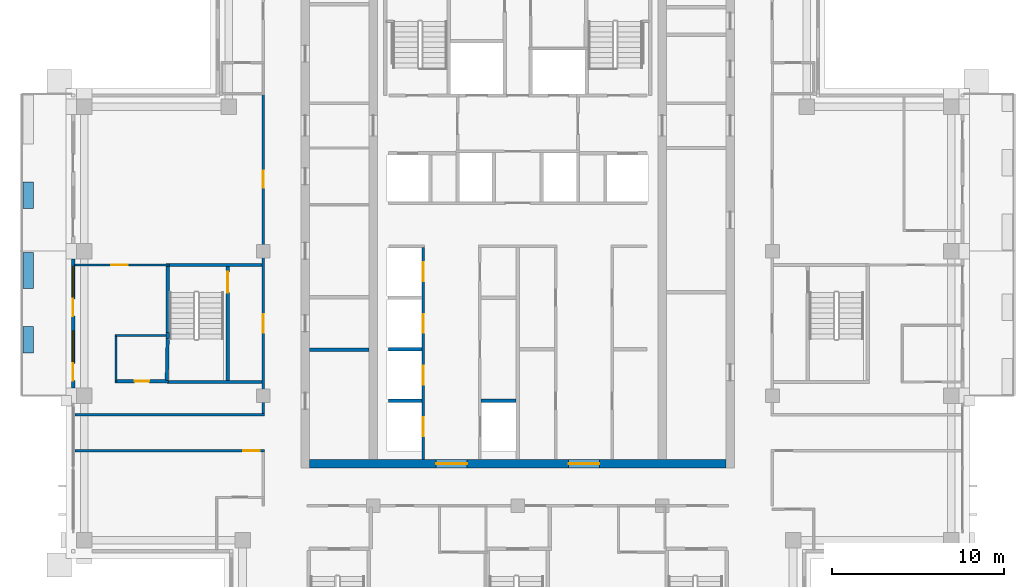
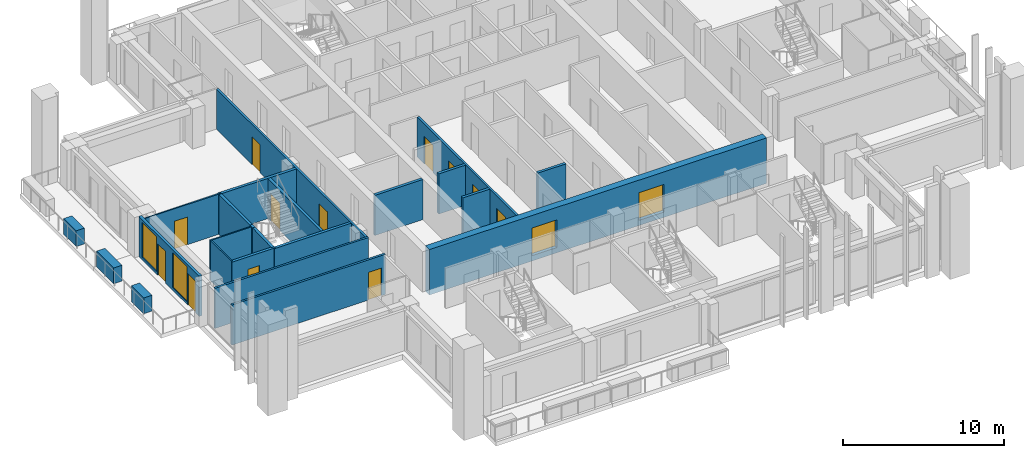
# One storey, part 7 of 16: 23 walls, 14 doors, 2 windows, 16 openings.
"""IFC4 building model written with IfcOpenShell, lengths in metres."""

from ifc_helpers import new_model, si_unit, direction, frame, frame_2d, origin, place, context, subcontext, project, spatial, rectangle, extrude, material, layer, layer_set, type_object, element, fill, save


model = new_model("IFC4")

# Units and contexts
model_context = context("Model", 3, precision=1e-05, world=origin(), true_north=direction((0.0, 1.0)))
body_context = subcontext(model_context, "Body", "Model", "MODEL_VIEW")
ifc_project = project(units=[si_unit("LENGTHUNIT", "METRE"), si_unit("AREAUNIT", "SQUARE_METRE"), si_unit("VOLUMEUNIT", "CUBIC_METRE"), si_unit("PLANEANGLEUNIT", "RADIAN"), si_unit("MASSUNIT", "GRAM", prefix="KILO")], contexts=[model_context])

# Site, building, storey
site_placement = place(None, origin())
site = spatial("IfcSite", under=ifc_project, at=site_placement, CompositionType="ELEMENT")
building_placement = place(site_placement, origin())
building = spatial("IfcBuilding", under=site, at=building_placement, Name="Vermilion Ogive Tower", CompositionType="ELEMENT")
storey_placement = place(building_placement, frame((0.0, 0.0, 247.60009765625)))
storey = spatial("IfcBuildingStorey", under=building, at=storey_placement, Name="L65", CompositionType="ELEMENT", Elevation=247.60009765625)

# Wall, openings, doors
ifc_material_1 = material(Name="Concrete B60", Category="concrete")
ifc_layer_1 = layer(ifc_material_1, 0.5)
ifc_layer_set_1 = layer_set([ifc_layer_1], Name="Core wall 500 B60")
wall_type_1 = type_object("IfcWallType", Name="Core wall 500 B60", PredefinedType="SHEAR", material=ifc_layer_set_1)
wall_1_placement = place(storey_placement, frame((-12.10009765625, -8.14990234375, -0.400146484375), z_axis=(0.0, 0.0, 1.0), x_axis=(1.0, 0.0, 0.0)))
wall_1 = element("IfcWall", 1, at=wall_1_placement, inside=storey, type_object=wall_type_1, Name="L65-CORE-S", PredefinedType="SHEAR", context=body_context, shape_type="SweptSolid", body=[
    extrude(rectangle(XDim=24.2001953125, YDim=0.5, at=frame_2d((12.10009765625, 0.0))), origin(), (0.0, 0.0, 1.0), 3.449951171875),
])
opening_1_placement = place(wall_1_placement, frame((7.35009765625, 0.0, 0.39990234375)))
opening_1 = element("IfcOpeningElement", 2, at=opening_1_placement, cuts=wall_1, Name="Opening DAH053", PredefinedType="OPENING", context=body_context, shape_type="SweptSolid", body=[
    extrude(rectangle(XDim=1.800048828125, YDim=2.10009765625, at=frame_2d((0.89990234375, 1.050048828125))), frame((0.0, 0.260009765625, 0.0), z_axis=(0.0, -1.0, 0.0), x_axis=(1.0, 0.0, 0.0)), (0.0, 0.0, 1.0), 0.52001953125),
])
opening_2_placement = place(wall_1_placement, frame((15.050048828125, 0.0, 0.39990234375)))
opening_2 = element("IfcOpeningElement", 3, at=opening_2_placement, cuts=wall_1, Name="Opening DAH054", PredefinedType="OPENING", context=body_context, shape_type="SweptSolid", body=[
    extrude(rectangle(XDim=1.800048828125, YDim=2.10009765625, at=frame_2d((0.89990234375, 1.050048828125))), frame((0.0, 0.260009765625, 0.0), z_axis=(0.0, -1.0, 0.0), x_axis=(1.0, 0.0, 0.0)), (0.0, 0.0, 1.0), 0.52001953125),
])
ifc_material_2 = material(Name="Timber door leaf", Category="wood")
door_type_1 = type_object("IfcDoorType", Name="Core entry door 1800 x 2100 FD60S", OperationType="DOUBLE_DOOR_SINGLE_SWING", PredefinedType="DOOR", material=ifc_material_2)
door_1_placement = place(opening_1_placement, origin())
door_1 = element("IfcDoor", 4, at=door_1_placement, inside=storey, type_object=door_type_1, Name="L65-CK-XD1", OperationType="SINGLE_SWING_LEFT", OverallHeight=2.10009765625, OverallWidth=1.800048828125, PredefinedType="DOOR", context=body_context, shape_type="SweptSolid", body=[
    extrude(rectangle(XDim=1.800048828125, YDim=2.10009765625, at=frame_2d((0.89990234375, 1.050048828125))), frame((0.0, 0.02490234375, 0.0), z_axis=(0.0, -1.0, 0.0), x_axis=(1.0, 0.0, 0.0)), (0.0, 0.0, 1.0), 0.050048828125),
])
fill(opening_1, door_1)
door_2_placement = place(opening_2_placement, origin())
door_2 = element("IfcDoor", 5, at=door_2_placement, inside=storey, type_object=door_type_1, Name="L65-CK-XD2", OperationType="SINGLE_SWING_LEFT", OverallHeight=2.10009765625, OverallWidth=1.800048828125, PredefinedType="DOOR", context=body_context, shape_type="SweptSolid", body=[
    extrude(rectangle(XDim=1.800048828125, YDim=2.10009765625, at=frame_2d((0.89990234375, 1.050048828125))), frame((0.0, 0.02490234375, 0.0), z_axis=(0.0, -1.0, 0.0), x_axis=(1.0, 0.0, 0.0)), (0.0, 0.0, 1.0), 0.050048828125),
])
fill(opening_2, door_2)

# Walls
ifc_material_3 = material(Name="Gypsum board partition on steel studs", Category="steel")
ifc_layer_2 = layer(ifc_material_3, 0.10009765625)
ifc_layer_set_2 = layer_set([ifc_layer_2], Name="Partition 100 bath")
wall_type_2 = type_object("IfcWallType", Name="Partition 100 bath", PredefinedType="PARTITIONING", material=ifc_layer_set_2)
wall_2_placement = place(storey_placement, frame((-23.39794921875, -0.699951171875, 0.0), z_axis=(0.0, 0.0, 1.0), x_axis=(1.0, 0.0, 0.0)))
element("IfcWall", 6, at=wall_2_placement, inside=storey, type_object=wall_type_2, Name="L65-W-W022", PredefinedType="PARTITIONING", context=body_context, shape_type="SweptSolid", body=[
    extrude(rectangle(XDim=2.947998046875, YDim=0.10009765625, at=frame_2d((1.47412109375, 0.0))), origin(), (0.0, 0.0, 1.0), 3.0498046875),
])
wall_3_placement = place(storey_placement, frame((-23.35009765625, -3.347900390625, 0.0), z_axis=(0.0, 0.0, 1.0), x_axis=(0.0, 1.0, 0.0)))
element("IfcWall", 7, at=wall_3_placement, inside=storey, type_object=wall_type_2, Name="L65-W-W035", PredefinedType="PARTITIONING", context=body_context, shape_type="SweptSolid", body=[
    extrude(rectangle(XDim=2.595947265625, YDim=0.10009765625, at=frame_2d((1.2978515625, 0.0))), origin(), (0.0, 0.0, 1.0), 3.0498046875),
])

# Wall, opening, door
ifc_material_4 = material(Name="Gypsum board partition on steel studs", Category="steel")
ifc_layer_3 = layer(ifc_material_4, 0.10009765625)
ifc_layer_set_3 = layer_set([ifc_layer_3], Name="Partition 100 inner")
wall_type_3 = type_object("IfcWallType", Name="Partition 100 inner", PredefinedType="PARTITIONING", material=ifc_layer_set_3)
wall_4_placement = place(storey_placement, frame((-25.75, 3.39990234375, 0.0), z_axis=(0.0, 0.0, 1.0), x_axis=(1.0, 0.0, 0.0)))
wall_4 = element("IfcWall", 8, at=wall_4_placement, inside=storey, type_object=wall_type_3, Name="L65-W-W024", PredefinedType="PARTITIONING", context=body_context, shape_type="SweptSolid", body=[
    extrude(rectangle(XDim=5.5, YDim=0.10009765625, at=frame_2d((2.75, 0.0))), origin(), (0.0, 0.0, 1.0), 3.0498046875),
])
opening_3_placement = place(wall_4_placement, frame((2.125, 0.0, 0.0)))
opening_3 = element("IfcOpeningElement", 9, at=opening_3_placement, cuts=wall_4, Name="Opening D5G4004", PredefinedType="OPENING", context=body_context, shape_type="SweptSolid", body=[
    extrude(rectangle(XDim=0.949951171875, YDim=2.10009765625, at=frame_2d((0.47509765625, 1.050048828125))), frame((0.0, 0.06005859375, 0.0), z_axis=(0.0, -1.0, 0.0), x_axis=(1.0, 0.0, 0.0)), (0.0, 0.0, 1.0), 0.1201171875),
])
ifc_material_5 = material(Name="Timber door leaf", Category="wood")
door_type_2 = type_object("IfcDoorType", Name="Inner door 950 x 2100 FD30", OperationType="SINGLE_SWING_LEFT", PredefinedType="DOOR", material=ifc_material_5)
door_3_placement = place(opening_3_placement, origin())
door_3 = element("IfcDoor", 10, at=door_3_placement, inside=storey, type_object=door_type_2, Name="L65-D-D004", OperationType="SINGLE_SWING_LEFT", OverallHeight=2.10009765625, OverallWidth=0.949951171875, PredefinedType="DOOR", context=body_context, shape_type="SweptSolid", body=[
    extrude(rectangle(XDim=0.949951171875, YDim=2.10009765625, at=frame_2d((0.47509765625, 1.050048828125))), frame((0.0, 0.02490234375, 0.0), z_axis=(0.0, -1.0, 0.0), x_axis=(1.0, 0.0, 0.0)), (0.0, 0.0, 1.0), 0.050048828125),
])
fill(opening_3, door_3)

ifc_material_6 = material(Name="Gypsum board partition on steel studs", Category="steel")
ifc_layer_4 = layer(ifc_material_6, 0.14990234375)
ifc_layer_set_4 = layer_set([ifc_layer_4], Name="Partition 150 corridor")
wall_type_4 = type_object("IfcWallType", Name="Partition 150 corridor", PredefinedType="PARTITIONING", material=ifc_layer_set_4)
wall_5_placement = place(storey_placement, frame((-25.75, -7.39990234375, 0.0), z_axis=(0.0, 0.0, 1.0), x_axis=(1.0, 0.0, 0.0)))
wall_5 = element("IfcWall", 11, at=wall_5_placement, inside=storey, type_object=wall_type_4, Name="L65-W-W014", PredefinedType="PARTITIONING", context=body_context, shape_type="SweptSolid", body=[
    extrude(rectangle(XDim=11.02490234375, YDim=0.14990234375, at=frame_2d((5.512451171875, 0.0))), origin(), (0.0, 0.0, 1.0), 3.0498046875),
])
opening_4_placement = place(wall_5_placement, frame((9.800048828125, 0.0, 0.0)))
opening_4 = element("IfcOpeningElement", 12, at=opening_4_placement, cuts=wall_5, Name="Opening D5G4001", PredefinedType="OPENING", context=body_context, shape_type="SweptSolid", body=[
    extrude(rectangle(XDim=0.949951171875, YDim=2.10009765625, at=frame_2d((0.47509765625, 1.050048828125))), frame((0.0, 0.0849609375, 0.0), z_axis=(0.0, -1.0, 0.0), x_axis=(1.0, 0.0, 0.0)), (0.0, 0.0, 1.0), 0.169921875),
])
ifc_material_7 = material(Name="Timber door leaf", Category="wood")
door_type_3 = type_object("IfcDoorType", Name="Unit door 950 x 2100 FD30S", OperationType="SINGLE_SWING_LEFT", PredefinedType="DOOR", material=ifc_material_7)
door_4_placement = place(opening_4_placement, origin())
door_4 = element("IfcDoor", 13, at=door_4_placement, inside=storey, type_object=door_type_3, Name="L65-D-D001", OperationType="SINGLE_SWING_RIGHT", OverallHeight=2.10009765625, OverallWidth=0.949951171875, PredefinedType="DOOR", context=body_context, shape_type="SweptSolid", body=[
    extrude(rectangle(XDim=0.949951171875, YDim=2.10009765625, at=frame_2d((0.47509765625, 1.050048828125))), frame((0.0, 0.02490234375, 0.0), z_axis=(0.0, -1.0, 0.0), x_axis=(1.0, 0.0, 0.0)), (0.0, 0.0, 1.0), 0.050048828125),
])
fill(opening_4, door_4)

# Wall
wall_6_placement = place(storey_placement, frame((-25.75, -5.300048828125, 0.0), z_axis=(0.0, 0.0, 1.0), x_axis=(1.0, 0.0, 0.0)))
element("IfcWall", 14, at=wall_6_placement, inside=storey, type_object=wall_type_4, Name="L65-W-W016", PredefinedType="PARTITIONING", context=body_context, shape_type="SweptSolid", body=[
    extrude(rectangle(XDim=11.02294921875, YDim=0.14990234375, at=frame_2d((5.511474609375, 0.0))), origin(), (0.0, 0.0, 1.0), 3.0498046875),
])

# Wall, openings, doors
wall_7_placement = place(storey_placement, frame((-14.800048828125, -5.222900390625, 0.0), z_axis=(0.0, 0.0, 1.0), x_axis=(0.0, 1.0, 0.0)))
wall_7 = element("IfcWall", 15, at=wall_7_placement, inside=storey, type_object=wall_type_4, Name="L65-W-W043", PredefinedType="PARTITIONING", context=body_context, shape_type="SweptSolid", body=[
    extrude(rectangle(XDim=18.52294921875, YDim=0.14990234375, at=frame_2d((9.261474609375, 0.0))), origin(), (0.0, 0.0, 1.0), 3.0498046875),
])
opening_5_placement = place(wall_7_placement, frame((13.097900390625, 0.0, 0.0)))
opening_5 = element("IfcOpeningElement", 16, at=opening_5_placement, cuts=wall_7, Name="Opening D5G4003", PredefinedType="OPENING", context=body_context, shape_type="SweptSolid", body=[
    extrude(rectangle(XDim=1.0, YDim=2.10009765625, at=frame_2d((0.5, 1.050048828125))), frame((0.0, 0.0849609375, 0.0), z_axis=(0.0, -1.0, 0.0), x_axis=(1.0, 0.0, 0.0)), (0.0, 0.0, 1.0), 0.169921875),
])
opening_6_placement = place(wall_7_placement, frame((4.6728515625, 0.0, 0.0)))
opening_6 = element("IfcOpeningElement", 17, at=opening_6_placement, cuts=wall_7, Name="Opening D5G4028", PredefinedType="OPENING", context=body_context, shape_type="SweptSolid", body=[
    extrude(rectangle(XDim=1.10009765625, YDim=2.10009765625, at=frame_2d((0.550048828125, 1.050048828125))), frame((0.0, 0.0849609375, 0.0), z_axis=(0.0, -1.0, 0.0), x_axis=(1.0, 0.0, 0.0)), (0.0, 0.0, 1.0), 0.169921875),
])
ifc_material_8 = material(Name="Timber door leaf", Category="wood")
door_type_4 = type_object("IfcDoorType", Name="Stair door 1100 x 2100 FD60S", OperationType="SINGLE_SWING_LEFT", PredefinedType="DOOR", material=ifc_material_8)
door_5_placement = place(opening_6_placement, origin())
door_5 = element("IfcDoor", 18, at=door_5_placement, inside=storey, type_object=door_type_4, Name="L65-D-D028", OperationType="SINGLE_SWING_LEFT", OverallHeight=2.10009765625, OverallWidth=1.10009765625, PredefinedType="DOOR", context=body_context, shape_type="SweptSolid", body=[
    extrude(rectangle(XDim=1.10009765625, YDim=2.10009765625, at=frame_2d((0.550048828125, 1.050048828125))), frame((0.0, 0.02490234375, 0.0), z_axis=(0.0, -1.0, 0.0), x_axis=(1.0, 0.0, 0.0)), (0.0, 0.0, 1.0), 0.050048828125),
])
fill(opening_6, door_5)
ifc_material_9 = material(Name="Timber door leaf", Category="wood")
door_type_5 = type_object("IfcDoorType", Name="Unit door 1000 x 2100 FD30S", OperationType="SINGLE_SWING_LEFT", PredefinedType="DOOR", material=ifc_material_9)
door_6_placement = place(opening_5_placement, origin())
door_6 = element("IfcDoor", 19, at=door_6_placement, inside=storey, type_object=door_type_5, Name="L65-D-D003", OperationType="SINGLE_SWING_LEFT", OverallHeight=2.10009765625, OverallWidth=1.0, PredefinedType="DOOR", context=body_context, shape_type="SweptSolid", body=[
    extrude(rectangle(XDim=1.0, YDim=2.10009765625, at=frame_2d((0.5, 1.050048828125))), frame((0.0, 0.02490234375, 0.0), z_axis=(0.0, -1.0, 0.0), x_axis=(1.0, 0.0, 0.0)), (0.0, 0.0, 1.0), 0.050048828125),
])
fill(opening_5, door_6)

wall_8_placement = place(storey_placement, frame((-5.5, -7.89892578125, 0.0), z_axis=(0.0, 0.0, 1.0), x_axis=(0.0, 1.0, 0.0)))
wall_8 = element("IfcWall", 20, at=wall_8_placement, inside=storey, type_object=wall_type_4, Name="L65-CK-W-W020", PredefinedType="PARTITIONING", context=body_context, shape_type="SweptSolid", body=[
    extrude(rectangle(XDim=12.323974609375, YDim=0.14990234375, at=frame_2d((6.162109375, 0.0))), origin(), (0.0, 0.0, 1.0), 3.0498046875),
])
opening_7_placement = place(wall_8_placement, frame((1.348876953125, 0.0, 0.0)))
opening_7 = element("IfcOpeningElement", 21, at=opening_7_placement, cuts=wall_8, Name="Opening DAA624", PredefinedType="OPENING", context=body_context, shape_type="SweptSolid", body=[
    extrude(rectangle(XDim=1.10009765625, YDim=2.10009765625, at=frame_2d((0.550048828125, 1.050048828125))), frame((0.0, 0.0849609375, 0.0), z_axis=(0.0, -1.0, 0.0), x_axis=(1.0, 0.0, 0.0)), (0.0, 0.0, 1.0), 0.169921875),
])
opening_8_placement = place(wall_8_placement, frame((4.348876953125, 0.0, 0.0)))
opening_8 = element("IfcOpeningElement", 22, at=opening_8_placement, cuts=wall_8, Name="Opening DAA625", PredefinedType="OPENING", context=body_context, shape_type="SweptSolid", body=[
    extrude(rectangle(XDim=1.10009765625, YDim=2.10009765625, at=frame_2d((0.550048828125, 1.050048828125))), frame((0.0, 0.0849609375, 0.0), z_axis=(0.0, -1.0, 0.0), x_axis=(1.0, 0.0, 0.0)), (0.0, 0.0, 1.0), 0.169921875),
])
opening_9_placement = place(wall_8_placement, frame((7.348876953125, 0.0, 0.0)))
opening_9 = element("IfcOpeningElement", 23, at=opening_9_placement, cuts=wall_8, Name="Opening DAA626", PredefinedType="OPENING", context=body_context, shape_type="SweptSolid", body=[
    extrude(rectangle(XDim=1.10009765625, YDim=2.10009765625, at=frame_2d((0.550048828125, 1.050048828125))), frame((0.0, 0.0849609375, 0.0), z_axis=(0.0, -1.0, 0.0), x_axis=(1.0, 0.0, 0.0)), (0.0, 0.0, 1.0), 0.169921875),
])
opening_10_placement = place(wall_8_placement, frame((10.348876953125, 0.0, 0.0)))
opening_10 = element("IfcOpeningElement", 24, at=opening_10_placement, cuts=wall_8, Name="Opening DAA627", PredefinedType="OPENING", context=body_context, shape_type="SweptSolid", body=[
    extrude(rectangle(XDim=1.10009765625, YDim=2.10009765625, at=frame_2d((0.550048828125, 1.050048828125))), frame((0.0, 0.0849609375, 0.0), z_axis=(0.0, -1.0, 0.0), x_axis=(1.0, 0.0, 0.0)), (0.0, 0.0, 1.0), 0.169921875),
])
ifc_material_10 = material(Name="Stainless steel", Category="steel")
door_type_6 = type_object("IfcDoorType", Name="Lift landing door 1100 x 2100", OperationType="SLIDING_TO_LEFT", PredefinedType="DOOR", material=ifc_material_10)
door_7_placement = place(opening_7_placement, origin())
door_7 = element("IfcDoor", 25, at=door_7_placement, inside=storey, type_object=door_type_6, Name="L65-CK-D-D001", OperationType="SLIDING_TO_LEFT", OverallHeight=2.10009765625, OverallWidth=1.10009765625, PredefinedType="DOOR", context=body_context, shape_type="SweptSolid", body=[
    extrude(rectangle(XDim=1.10009765625, YDim=2.10009765625, at=frame_2d((0.550048828125, 1.050048828125))), frame((0.0, 0.02490234375, 0.0), z_axis=(0.0, -1.0, 0.0), x_axis=(1.0, 0.0, 0.0)), (0.0, 0.0, 1.0), 0.050048828125),
])
fill(opening_7, door_7)
door_8_placement = place(opening_8_placement, origin())
door_8 = element("IfcDoor", 26, at=door_8_placement, inside=storey, type_object=door_type_6, Name="L65-CK-D-D002", OperationType="SLIDING_TO_LEFT", OverallHeight=2.10009765625, OverallWidth=1.10009765625, PredefinedType="DOOR", context=body_context, shape_type="SweptSolid", body=[
    extrude(rectangle(XDim=1.10009765625, YDim=2.10009765625, at=frame_2d((0.550048828125, 1.050048828125))), frame((0.0, 0.02490234375, 0.0), z_axis=(0.0, -1.0, 0.0), x_axis=(1.0, 0.0, 0.0)), (0.0, 0.0, 1.0), 0.050048828125),
])
fill(opening_8, door_8)
door_9_placement = place(opening_9_placement, origin())
door_9 = element("IfcDoor", 27, at=door_9_placement, inside=storey, type_object=door_type_6, Name="L65-CK-D-D003", OperationType="SLIDING_TO_LEFT", OverallHeight=2.10009765625, OverallWidth=1.10009765625, PredefinedType="DOOR", context=body_context, shape_type="SweptSolid", body=[
    extrude(rectangle(XDim=1.10009765625, YDim=2.10009765625, at=frame_2d((0.550048828125, 1.050048828125))), frame((0.0, 0.02490234375, 0.0), z_axis=(0.0, -1.0, 0.0), x_axis=(1.0, 0.0, 0.0)), (0.0, 0.0, 1.0), 0.050048828125),
])
fill(opening_9, door_9)
door_10_placement = place(opening_10_placement, origin())
door_10 = element("IfcDoor", 28, at=door_10_placement, inside=storey, type_object=door_type_6, Name="L65-CK-D-D004", OperationType="SLIDING_TO_LEFT", OverallHeight=2.10009765625, OverallWidth=1.10009765625, PredefinedType="DOOR", context=body_context, shape_type="SweptSolid", body=[
    extrude(rectangle(XDim=1.10009765625, YDim=2.10009765625, at=frame_2d((0.550048828125, 1.050048828125))), frame((0.0, 0.02490234375, 0.0), z_axis=(0.0, -1.0, 0.0), x_axis=(1.0, 0.0, 0.0)), (0.0, 0.0, 1.0), 0.050048828125),
])
fill(opening_10, door_10)

# Walls
ifc_material_11 = material(Name="Gypsum board partition on steel studs", Category="steel")
ifc_layer_5 = layer(ifc_material_11, 0.199951171875)
ifc_layer_set_5 = layer_set([ifc_layer_5], Name="Partition 200 party")
wall_type_5 = type_object("IfcWallType", Name="Partition 200 party", PredefinedType="PARTITIONING", material=ifc_layer_set_5)
wall_9_placement = place(storey_placement, frame((-7.5, -4.5, 0.0), z_axis=(0.0, 0.0, 1.0), x_axis=(1.0, 0.0, 0.0)))
element("IfcWall", 29, at=wall_9_placement, inside=storey, type_object=wall_type_5, Name="L65-CK-W-W001", PredefinedType="PARTITIONING", context=body_context, shape_type="SweptSolid", body=[
    extrude(rectangle(XDim=1.925048828125, YDim=0.199951171875, at=frame_2d((0.96240234375, 0.0))), origin(), (0.0, 0.0, 1.0), 3.0498046875),
])
wall_10_placement = place(storey_placement, frame((-2.125, -4.5, 0.0), z_axis=(0.0, 0.0, 1.0), x_axis=(1.0, 0.0, 0.0)))
element("IfcWall", 30, at=wall_10_placement, inside=storey, type_object=wall_type_5, Name="L65-CK-W-W002", PredefinedType="PARTITIONING", context=body_context, shape_type="SweptSolid", body=[
    extrude(rectangle(XDim=2.02490234375, YDim=0.199951171875, at=frame_2d((1.012451171875, 0.0))), origin(), (0.0, 0.0, 1.0), 3.0498046875),
])
wall_11_placement = place(storey_placement, frame((-7.5, -1.5, 0.0), z_axis=(0.0, 0.0, 1.0), x_axis=(1.0, 0.0, 0.0)))
element("IfcWall", 31, at=wall_11_placement, inside=storey, type_object=wall_type_5, Name="L65-CK-W-W003", PredefinedType="PARTITIONING", context=body_context, shape_type="SweptSolid", body=[
    extrude(rectangle(XDim=1.925048828125, YDim=0.199951171875, at=frame_2d((0.96240234375, 0.0))), origin(), (0.0, 0.0, 1.0), 3.0498046875),
])
wall_12_placement = place(storey_placement, frame((-12.09912109375, -1.51904296875, 0.0), z_axis=(0.0, 0.0, 1.0), x_axis=(1.0, 0.0, 0.0)))
element("IfcWall", 32, at=wall_12_placement, inside=storey, type_object=wall_type_5, Name="L65-CKW-W-W001", PredefinedType="PARTITIONING", context=body_context, shape_type="SweptSolid", body=[
    extrude(rectangle(XDim=3.4482421875, YDim=0.199951171875, at=frame_2d((1.72412109375, 0.0))), origin(), (0.0, 0.0, 1.0), 3.0498046875),
])

# Wall, opening, door
ifc_material_12 = material(Name="Concrete B60", Category="concrete")
ifc_layer_6 = layer(ifc_material_12, 0.199951171875)
ifc_layer_set_6 = layer_set([ifc_layer_6], Name="Stair shaft wall 200 Concrete B60")
wall_type_6 = type_object("IfcWallType", Name="Stair shaft wall 200 Concrete B60", PredefinedType="SOLIDWALL", material=ifc_layer_set_6)
wall_13_placement = place(storey_placement, frame((-23.39794921875, -3.349853515625, 0.0), z_axis=(0.0, 0.0, 1.0), x_axis=(1.0, 0.0, 0.0)))
wall_13 = element("IfcWall", 33, at=wall_13_placement, inside=storey, type_object=wall_type_6, Name="L65-W-W018", PredefinedType="SOLIDWALL", context=body_context, shape_type="SweptSolid", body=[
    extrude(rectangle(XDim=3.097900390625, YDim=0.199951171875, at=frame_2d((1.548828125, 0.0))), origin(), (0.0, 0.0, 1.0), 3.0498046875),
])
opening_11_placement = place(wall_13_placement, frame((1.123046875, 0.0, 0.0)))
opening_11 = element("IfcOpeningElement", 34, at=opening_11_placement, cuts=wall_13, Name="Opening D5G4005", PredefinedType="OPENING", context=body_context, shape_type="SweptSolid", body=[
    extrude(rectangle(XDim=0.85009765625, YDim=2.10009765625, at=frame_2d((0.425048828125, 1.050048828125))), frame((0.0, 0.10986328125, 0.0), z_axis=(0.0, -1.0, 0.0), x_axis=(1.0, 0.0, 0.0)), (0.0, 0.0, 1.0), 0.219970703125),
])
ifc_material_13 = material(Name="Timber door leaf", Category="wood")
door_type_7 = type_object("IfcDoorType", Name="Bath door 850 x 2100 FD30", OperationType="SINGLE_SWING_LEFT", PredefinedType="DOOR", material=ifc_material_13)
door_11_placement = place(opening_11_placement, origin())
door_11 = element("IfcDoor", 35, at=door_11_placement, inside=storey, type_object=door_type_7, Name="L65-D-D005", OperationType="SINGLE_SWING_LEFT", OverallHeight=2.10009765625, OverallWidth=0.85009765625, PredefinedType="DOOR", context=body_context, shape_type="SweptSolid", body=[
    extrude(rectangle(XDim=0.85009765625, YDim=2.10009765625, at=frame_2d((0.425048828125, 1.050048828125))), frame((0.0, 0.02490234375, 0.0), z_axis=(0.0, -1.0, 0.0), x_axis=(1.0, 0.0, 0.0)), (0.0, 0.0, 1.0), 0.050048828125),
])
fill(opening_11, door_11)

# Walls
wall_14_placement = place(storey_placement, frame((-20.39990234375, -3.39990234375, 0.0), z_axis=(0.0, 0.0, 1.0), x_axis=(1.0, 0.0, 0.0)))
element("IfcWall", 36, at=wall_14_placement, inside=storey, type_object=wall_type_6, Name="L65-W-W019", PredefinedType="SOLIDWALL", context=body_context, shape_type="SweptSolid", body=[
    extrude(rectangle(XDim=5.52294921875, YDim=0.199951171875, at=frame_2d((2.761474609375, 0.0))), origin(), (0.0, 0.0, 1.0), 3.0498046875),
])
wall_15_placement = place(storey_placement, frame((-20.449951171875, 3.39990234375, 0.0), z_axis=(0.0, 0.0, 1.0), x_axis=(1.0, 0.0, 0.0)))
element("IfcWall", 37, at=wall_15_placement, inside=storey, type_object=wall_type_6, Name="L65-W-W025", PredefinedType="SOLIDWALL", context=body_context, shape_type="SweptSolid", body=[
    extrude(rectangle(XDim=5.574951171875, YDim=0.199951171875, at=frame_2d((2.78759765625, 0.0))), origin(), (0.0, 0.0, 1.0), 3.0498046875),
])
wall_16_placement = place(storey_placement, frame((-20.400146484375, -3.300048828125, 0.0), z_axis=(0.0, 0.0, 1.0), x_axis=(0.019989976481, 0.999800180456, 0.0)))
element("IfcWall", 38, at=wall_16_placement, inside=storey, type_object=wall_type_6, Name="L65-W-W036", PredefinedType="SOLIDWALL", context=body_context, shape_type="SweptSolid", body=[
    extrude(rectangle(XDim=2.430419921875, YDim=0.199951171875, at=frame_2d((1.21533203125, 0.0))), origin(), (0.0, 0.0, 1.0), 3.0498046875),
])
wall_17_placement = place(storey_placement, frame((-20.35009765625, -0.52978515625, 0.0), z_axis=(0.0, 0.0, 1.0), x_axis=(0.0, 1.0, 0.0)))
element("IfcWall", 39, at=wall_17_placement, inside=storey, type_object=wall_type_6, Name="L65-W-W037", PredefinedType="SOLIDWALL", context=body_context, shape_type="SweptSolid", body=[
    extrude(rectangle(XDim=3.829833984375, YDim=0.199951171875, at=frame_2d((1.9150390625, 0.0))), origin(), (0.0, 0.0, 1.0), 3.0498046875),
])

# Wall, opening, door
wall_18_placement = place(storey_placement, frame((-16.85009765625, -3.300048828125, 0.0), z_axis=(0.0, 0.0, 1.0), x_axis=(0.0, 1.0, 0.0)))
wall_18 = element("IfcWall", 40, at=wall_18_placement, inside=storey, type_object=wall_type_6, Name="L65-W-W040", PredefinedType="SOLIDWALL", context=body_context, shape_type="SweptSolid", body=[
    extrude(rectangle(XDim=6.60009765625, YDim=0.199951171875, at=frame_2d((3.300048828125, 0.0))), origin(), (0.0, 0.0, 1.0), 3.0498046875),
])
opening_12_placement = place(wall_18_placement, frame((5.10009765625, 0.0, 0.0)))
opening_12 = element("IfcOpeningElement", 41, at=opening_12_placement, cuts=wall_18, Name="Opening D5G4029", PredefinedType="OPENING", context=body_context, shape_type="SweptSolid", body=[
    extrude(rectangle(XDim=1.199951171875, YDim=2.10009765625, at=frame_2d((0.60009765625, 1.050048828125))), frame((0.0, 0.10986328125, 0.0), z_axis=(0.0, -1.0, 0.0), x_axis=(1.0, 0.0, 0.0)), (0.0, 0.0, 1.0), 0.219970703125),
])
ifc_material_14 = material(Name="Timber door leaf", Category="wood")
door_type_8 = type_object("IfcDoorType", Name="Stair door 1200 x 2100 FD60S", OperationType="SINGLE_SWING_LEFT", PredefinedType="DOOR", material=ifc_material_14)
door_12_placement = place(opening_12_placement, origin())
door_12 = element("IfcDoor", 42, at=door_12_placement, inside=storey, type_object=door_type_8, Name="L65-D-D029", OperationType="SINGLE_SWING_RIGHT", OverallHeight=2.10009765625, OverallWidth=1.199951171875, PredefinedType="DOOR", context=body_context, shape_type="SweptSolid", body=[
    extrude(rectangle(XDim=1.199951171875, YDim=2.10009765625, at=frame_2d((0.60009765625, 1.050048828125))), frame((0.0, 0.02490234375, 0.0), z_axis=(0.0, -1.0, 0.0), x_axis=(1.0, 0.0, 0.0)), (0.0, 0.0, 1.0), 0.050048828125),
])
fill(opening_12, door_12)

# Walls
wall_19_placement = place(storey_placement, frame((-20.35009765625, -0.8701171875, 0.0), z_axis=(0.0, 0.0, 1.0), x_axis=(0.0, 1.0, 0.0)))
element("IfcWall", 43, at=wall_19_placement, inside=storey, type_object=wall_type_6, Name="L65-SW-ST9-W1", PredefinedType="SOLIDWALL", context=body_context, shape_type="SweptSolid", body=[
    extrude(rectangle(XDim=0.34033203125, YDim=0.199951171875, at=frame_2d((0.170166015625, 0.0))), origin(), (0.0, 0.0, 1.0), 3.0498046875),
])
ifc_material_15 = material(Name="Concrete B40", Category="concrete")
ifc_layer_7 = layer(ifc_material_15, 0.60009765625)
ifc_layer_set_7 = layer_set([ifc_layer_7], Name="Structural planter")
wall_type_7 = type_object("IfcWallType", Name="Structural planter", PredefinedType="USERDEFINED", material=ifc_layer_set_7)
wall_20_placement = place(storey_placement, frame((-28.45361328125, 8.22509765625, -0.0400390625), z_axis=(0.0, 0.0, 1.0), x_axis=(0.0, -1.0, 0.0)))
element("IfcWall", 44, at=wall_20_placement, inside=storey, type_object=wall_type_7, Name="Planter W01A2", ObjectType="PLANTER", PredefinedType="USERDEFINED", context=body_context, shape_type="SweptSolid", body=[
    extrude(rectangle(XDim=1.550048828125, YDim=0.60009765625, at=frame_2d((0.77490234375, 0.0))), origin(), (0.0, 0.0, 1.0), 1.199951171875),
])
wall_21_placement = place(storey_placement, frame((-28.45361328125, 4.139892578125, -0.0400390625), z_axis=(0.0, 0.0, 1.0), x_axis=(0.0, -1.0, 0.0)))
element("IfcWall", 45, at=wall_21_placement, inside=storey, type_object=wall_type_7, Name="Planter W02A1", ObjectType="PLANTER", PredefinedType="USERDEFINED", context=body_context, shape_type="SweptSolid", body=[
    extrude(rectangle(XDim=2.114990234375, YDim=0.60009765625, at=frame_2d((1.0576171875, 0.0))), origin(), (0.0, 0.0, 1.0), 1.199951171875),
])
wall_22_placement = place(storey_placement, frame((-28.45361328125, -0.175048828125, -0.0400390625), z_axis=(0.0, 0.0, 1.0), x_axis=(0.0, -1.0, 0.0)))
element("IfcWall", 46, at=wall_22_placement, inside=storey, type_object=wall_type_7, Name="Planter W02A2", ObjectType="PLANTER", PredefinedType="USERDEFINED", context=body_context, shape_type="SweptSolid", body=[
    extrude(rectangle(XDim=1.550048828125, YDim=0.60009765625, at=frame_2d((0.77490234375, 0.0))), origin(), (0.0, 0.0, 1.0), 1.199951171875),
])

# Wall, openings, doors, windows
ifc_material_16 = material(Name="Aluminium window wall framing", Category="aluminium")
ifc_layer_8 = layer(ifc_material_16, 0.199951171875)
ifc_layer_set_8 = layer_set([ifc_layer_8], Name="Window wall")
wall_type_8 = type_object("IfcWallType", Name="Window wall", PredefinedType="STANDARD", material=ifc_layer_set_8)
wall_23_placement = place(storey_placement, frame((-25.85009765625, 3.75, 0.0), z_axis=(0.0, 0.0, 1.0), x_axis=(0.0, -1.0, 0.0)))
wall_23 = element("IfcWall", 47, at=wall_23_placement, inside=storey, type_object=wall_type_8, Name="Window wall W2", PredefinedType="STANDARD", context=body_context, shape_type="SweptSolid", body=[
    extrude(rectangle(XDim=7.5, YDim=0.199951171875, at=frame_2d((3.75, 0.0))), origin(), (0.0, 0.0, 1.0), 3.0498046875),
])
opening_13_placement = place(wall_23_placement, frame((4.175048828125, 0.0, 0.199951171875)))
opening_13 = element("IfcOpeningElement", 48, at=opening_13_placement, cuts=wall_23, Name="Opening W1-W99", PredefinedType="OPENING", context=body_context, shape_type="SweptSolid", body=[
    extrude(rectangle(XDim=1.800048828125, YDim=2.64990234375, at=frame_2d((0.89990234375, 1.324951171875))), frame((0.0, 0.10986328125, 0.0), z_axis=(0.0, -1.0, 0.0), x_axis=(1.0, 0.0, 0.0)), (0.0, 0.0, 1.0), 0.219970703125),
])
opening_14_placement = place(wall_23_placement, frame((6.074951171875, 0.0, 0.0)))
opening_14 = element("IfcOpeningElement", 49, at=opening_14_placement, cuts=wall_23, Name="Opening D1-W99", PredefinedType="OPENING", context=body_context, shape_type="SweptSolid", body=[
    extrude(rectangle(XDim=1.0, YDim=2.39990234375, at=frame_2d((0.5, 1.199951171875))), frame((0.0, 0.10986328125, 0.0), z_axis=(0.0, -1.0, 0.0), x_axis=(1.0, 0.0, 0.0)), (0.0, 0.0, 1.0), 0.219970703125),
])
opening_15_placement = place(wall_23_placement, frame((0.425048828125, 0.0, 0.199951171875)))
opening_15 = element("IfcOpeningElement", 50, at=opening_15_placement, cuts=wall_23, Name="Opening W1-W00", PredefinedType="OPENING", context=body_context, shape_type="SweptSolid", body=[
    extrude(rectangle(XDim=1.800048828125, YDim=2.64990234375, at=frame_2d((0.89990234375, 1.324951171875))), frame((0.0, 0.10986328125, 0.0), z_axis=(0.0, -1.0, 0.0), x_axis=(1.0, 0.0, 0.0)), (0.0, 0.0, 1.0), 0.219970703125),
])
opening_16_placement = place(wall_23_placement, frame((2.324951171875, 0.0, 0.0)))
opening_16 = element("IfcOpeningElement", 51, at=opening_16_placement, cuts=wall_23, Name="Opening D1-W00", PredefinedType="OPENING", context=body_context, shape_type="SweptSolid", body=[
    extrude(rectangle(XDim=1.0, YDim=2.39990234375, at=frame_2d((0.5, 1.199951171875))), frame((0.0, 0.10986328125, 0.0), z_axis=(0.0, -1.0, 0.0), x_axis=(1.0, 0.0, 0.0)), (0.0, 0.0, 1.0), 0.219970703125),
])
ifc_material_17 = material(Name="Aluminium framed glazed door", Category="aluminium")
door_type_9 = type_object("IfcDoorType", Name="Balcony door D1", OperationType="SINGLE_SWING_LEFT", PredefinedType="DOOR", material=ifc_material_17)
door_13_placement = place(opening_14_placement, origin())
door_13 = element("IfcDoor", 52, at=door_13_placement, inside=storey, type_object=door_type_9, Name="Balcony door W99", OperationType="SINGLE_SWING_LEFT", OverallHeight=2.39990234375, OverallWidth=1.0, PredefinedType="DOOR", context=body_context, shape_type="SweptSolid", body=[
    extrude(rectangle(XDim=1.0, YDim=2.39990234375, at=frame_2d((0.5, 1.199951171875))), frame((0.0, 0.02490234375, 0.0), z_axis=(0.0, -1.0, 0.0), x_axis=(1.0, 0.0, 0.0)), (0.0, 0.0, 1.0), 0.050048828125),
])
fill(opening_14, door_13)
door_14_placement = place(opening_16_placement, origin())
door_14 = element("IfcDoor", 53, at=door_14_placement, inside=storey, type_object=door_type_9, Name="Balcony door W00", OperationType="SINGLE_SWING_LEFT", OverallHeight=2.39990234375, OverallWidth=1.0, PredefinedType="DOOR", context=body_context, shape_type="SweptSolid", body=[
    extrude(rectangle(XDim=1.0, YDim=2.39990234375, at=frame_2d((0.5, 1.199951171875))), frame((0.0, 0.02490234375, 0.0), z_axis=(0.0, -1.0, 0.0), x_axis=(1.0, 0.0, 0.0)), (0.0, 0.0, 1.0), 0.050048828125),
])
fill(opening_16, door_14)
ifc_material_18 = material(Name="Aluminium framed double glazing", Category="aluminium")
window_type = type_object("IfcWindowType", Name="Guest window W1", PartitioningType="SINGLE_PANEL", PredefinedType="WINDOW", material=ifc_material_18)
window_1_placement = place(opening_13_placement, origin())
window_1 = element("IfcWindow", 54, at=window_1_placement, inside=storey, type_object=window_type, Name="Window W99", OverallHeight=2.64990234375, OverallWidth=1.800048828125, PartitioningType="SINGLE_PANEL", PredefinedType="WINDOW", context=body_context, shape_type="SweptSolid", body=[
    extrude(rectangle(XDim=1.800048828125, YDim=2.64990234375, at=frame_2d((0.89990234375, 1.324951171875))), frame((0.0, 0.030029296875, 0.0), z_axis=(0.0, -1.0, 0.0), x_axis=(1.0, 0.0, 0.0)), (0.0, 0.0, 1.0), 0.06005859375),
])
fill(opening_13, window_1)
window_2_placement = place(opening_15_placement, origin())
window_2 = element("IfcWindow", 55, at=window_2_placement, inside=storey, type_object=window_type, Name="Window W00", OverallHeight=2.64990234375, OverallWidth=1.800048828125, PartitioningType="SINGLE_PANEL", PredefinedType="WINDOW", context=body_context, shape_type="SweptSolid", body=[
    extrude(rectangle(XDim=1.800048828125, YDim=2.64990234375, at=frame_2d((0.89990234375, 1.324951171875))), frame((0.0, 0.030029296875, 0.0), z_axis=(0.0, -1.0, 0.0), x_axis=(1.0, 0.0, 0.0)), (0.0, 0.0, 1.0), 0.06005859375),
])
fill(opening_15, window_2)

save(model, "model.ifc")
